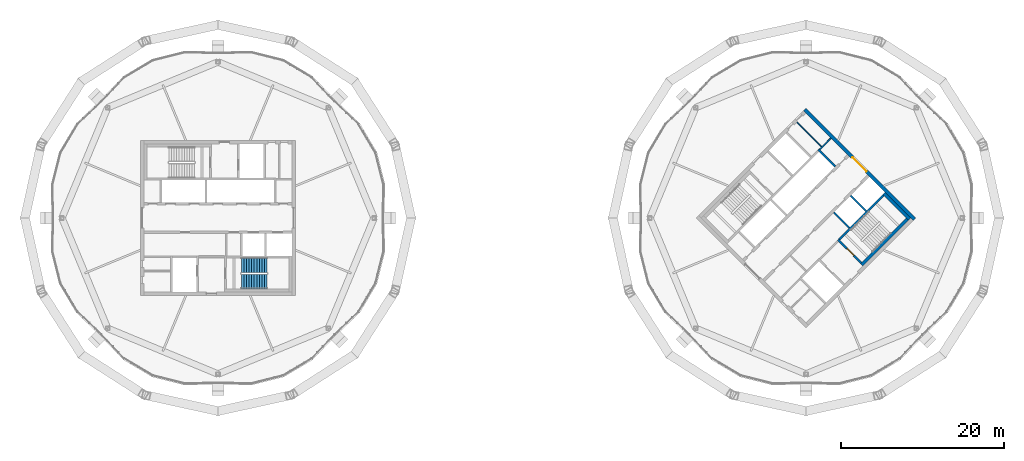
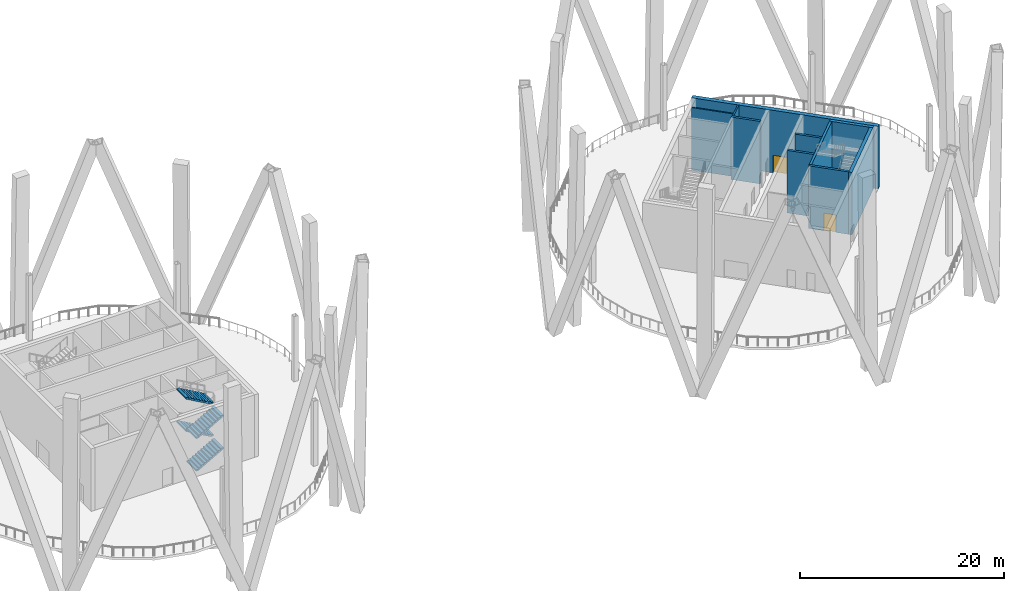
# One storey, part 7 of 13: 10 walls, 4 stair flights, 2 doors, 2 openings, 1 element without a shape of its own.
"""IFC4 building model written with IfcOpenShell, lengths in metres."""

from ifc_helpers import new_model, si_unit, direction, frame, frame_2d, origin, place, context, subcontext, project, spatial, polyline, rectangle, outline, extrude, material, layer, layer_set, type_object, element, fill, aggregate, save


model = new_model("IFC4")

# Units and contexts
model_context = context("Model", 3, precision=1e-05, world=origin(), true_north=direction((0.0, 1.0)))
body_context = subcontext(model_context, "Body", "Model", "MODEL_VIEW")
ifc_project = project(units=[si_unit("LENGTHUNIT", "METRE"), si_unit("AREAUNIT", "SQUARE_METRE"), si_unit("VOLUMEUNIT", "CUBIC_METRE"), si_unit("PLANEANGLEUNIT", "RADIAN"), si_unit("MASSUNIT", "GRAM", prefix="KILO")], contexts=[model_context])

# Site, building, storey
site_placement = place(None, origin())
site = spatial("IfcSite", under=ifc_project, at=site_placement, CompositionType="ELEMENT")
building_placement = place(site_placement, origin())
building = spatial("IfcBuilding", under=site, at=building_placement, Name="Ogive Gate Towers", CompositionType="ELEMENT")
storey_placement = place(building_placement, frame((0.0, 0.0, 221.10009765625)))
storey = spatial("IfcBuildingStorey", under=building, at=storey_placement, Name="L53", CompositionType="ELEMENT", Elevation=221.10009765625)

# Wall, opening, door
ifc_material_1 = material(Name="Concrete C60/75", Category="concrete")
ifc_layer_1 = layer(ifc_material_1, 0.449951171875)
ifc_layer_set_1 = layer_set([ifc_layer_1], Name="Core wall 450 mm")
wall_type_1 = type_object("IfcWallType", Name="Core wall 450 mm", PredefinedType="SHEAR", material=ifc_layer_set_1)
wall_1_placement = place(storey_placement, frame((49.27587890625, -0.1591796875, 0.0), z_axis=(0.0, 0.0, 1.0), x_axis=(-0.707106781187, 0.707106781187, 0.0)))
wall_1 = element("IfcWall", 1, at=wall_1_placement, inside=storey, type_object=wall_type_1, Name="T2 L53 Core wall 450 mm", PredefinedType="SHEAR", context=body_context, shape_type="SweptSolid", body=[
    extrude(rectangle(XDim=19.0, YDim=0.449951171875, at=frame_2d((9.5, 0.0))), origin(), (0.0, 0.0, 1.0), 7.5),
])
opening_1_placement = place(wall_1_placement, frame((8.300048828125, 0.0, 0.0)))
opening_1 = element("IfcOpeningElement", 2, at=opening_1_placement, cuts=wall_1, Name="Opening KD-T2-L53-02", PredefinedType="OPENING", context=body_context, shape_type="SweptSolid", body=[
    extrude(rectangle(XDim=2.39990234375, YDim=2.10009765625, at=frame_2d((1.199951171875, 1.050048828125))), frame((0.0, 0.23486328125, 0.0), z_axis=(0.0, -1.0, 0.0), x_axis=(1.0, 0.0, 0.0)), (0.0, 0.0, 1.0), 0.469970703125),
])
ifc_material_2 = material(Name="Steel fire door", Category="steel")
door_type_1 = type_object("IfcDoorType", Name="Core double door FD60S 2400 x 2100", OperationType="DOUBLE_DOOR_SINGLE_SWING", PredefinedType="DOOR", material=ifc_material_2)
door_1_placement = place(opening_1_placement, origin())
door_1 = element("IfcDoor", 3, at=door_1_placement, inside=storey, type_object=door_type_1, Name="T2 L53 Core door double", OperationType="DOUBLE_DOOR_SINGLE_SWING", OverallHeight=2.10009765625, OverallWidth=2.39990234375, PredefinedType="DOOR", context=body_context, shape_type="SweptSolid", body=[
    extrude(rectangle(XDim=2.39990234375, YDim=2.10009765625, at=frame_2d((1.199951171875, 1.050048828125))), frame((0.0, 0.02490234375, 0.0), z_axis=(0.0, -1.0, 0.0), x_axis=(1.0, 0.0, 0.0)), (0.0, 0.0, 1.0), 0.050048828125),
])
fill(opening_1, door_1)

# Walls
ifc_material_3 = material(Name="Gypsum board partition")
ifc_layer_2 = layer(ifc_material_3, 0.14990234375)
ifc_layer_set_2 = layer_set([ifc_layer_2], Name="Room partition 150 mm")
wall_type_2 = type_object("IfcWallType", Name="Room partition 150 mm", PredefinedType="PARTITIONING", material=ifc_layer_set_2)
wall_2_placement = place(storey_placement, frame((37.679443359375, 8.39697265625, 0.0), z_axis=(0.0, 0.0, 1.0), x_axis=(0.707106781187, 0.707106781187, 0.0)))
element("IfcWall", 4, at=wall_2_placement, inside=storey, type_object=wall_type_2, Name="T2 L53 Room partition 150 mm", PredefinedType="PARTITIONING", context=body_context, shape_type="SweptSolid", body=[
    extrude(rectangle(XDim=1.9248046875, YDim=0.14990234375, at=frame_2d((0.96240234375, 0.0))), origin(), (0.0, 0.0, 1.0), 7.5),
])
wall_3_placement = place(storey_placement, frame((37.8916015625, 8.715087890625, 0.0), z_axis=(0.0, 0.0, 1.0), x_axis=(-0.707106781187, 0.707106781187, 0.0)))
element("IfcWall", 5, at=wall_3_placement, inside=storey, type_object=wall_type_2, Name="T2 L53 Room partition 150 mm", PredefinedType="PARTITIONING", context=body_context, shape_type="SweptSolid", body=[
    extrude(rectangle(XDim=4.22509765625, YDim=0.14990234375, at=frame_2d((2.112548828125, 0.0))), origin(), (0.0, 0.0, 1.0), 7.5),
])
ifc_layer_3 = layer(ifc_material_1, 0.25)
ifc_layer_set_3 = layer_set([ifc_layer_3], Name="Shaft wall 250 mm")
wall_type_3 = type_object("IfcWallType", Name="Shaft wall 250 mm", PredefinedType="SHEAR", material=ifc_layer_set_3)
wall_4_placement = place(storey_placement, frame((40.08349609375, -2.634033203125, 0.0), z_axis=(0.0, 0.0, 1.0), x_axis=(0.707090876314, 0.707122685701, 0.0)))
element("IfcWall", 6, at=wall_4_placement, inside=storey, type_object=wall_type_3, Name="T2 L53 Shaft wall 250 mm", PredefinedType="SHEAR", context=body_context, shape_type="SweptSolid", body=[
    extrude(rectangle(XDim=7.675048828125, YDim=0.25, at=frame_2d((3.83740234375, 0.0))), origin(), (0.0, 0.0, 1.0), 7.5),
])

# Wall, opening, door
wall_5_placement = place(storey_placement, frame((42.7880859375, -5.515380859375, 0.0), z_axis=(0.0, 0.0, 1.0), x_axis=(-0.707106781187, 0.707106781187, 0.0)))
wall_5 = element("IfcWall", 7, at=wall_5_placement, inside=storey, type_object=wall_type_3, Name="T2 L53 Shaft wall 250 mm", PredefinedType="SHEAR", context=body_context, shape_type="SweptSolid", body=[
    extrude(rectangle(XDim=4.050048828125, YDim=0.25, at=frame_2d((2.02490234375, 0.0))), origin(), (0.0, 0.0, 1.0), 7.5),
])
opening_2_placement = place(wall_5_placement, frame((1.300048828125, 0.0, 0.0)))
opening_2 = element("IfcOpeningElement", 8, at=opening_2_placement, cuts=wall_5, Name="Opening KD-T2-L53-17", PredefinedType="OPENING", context=body_context, shape_type="SweptSolid", body=[
    extrude(rectangle(XDim=1.199951171875, YDim=2.10009765625, at=frame_2d((0.60009765625, 1.050048828125))), frame((0.0, 0.135009765625, 0.0), z_axis=(0.0, -1.0, 0.0), x_axis=(1.0, 0.0, 0.0)), (0.0, 0.0, 1.0), 0.27001953125),
])
door_type_2 = type_object("IfcDoorType", Name="Core door FD60S 1200 x 2100", OperationType="NOTDEFINED", PredefinedType="DOOR", material=ifc_material_2)
door_2_placement = place(opening_2_placement, origin())
door_2 = element("IfcDoor", 9, at=door_2_placement, inside=storey, type_object=door_type_2, Name="T2 L53 Stair door", OperationType="SINGLE_SWING_RIGHT", OverallHeight=2.10009765625, OverallWidth=1.199951171875, PredefinedType="DOOR", context=body_context, shape_type="SweptSolid", body=[
    extrude(rectangle(XDim=1.199951171875, YDim=2.10009765625, at=frame_2d((0.60009765625, 1.050048828125))), frame((0.0, 0.02490234375, 0.0), z_axis=(0.0, -1.0, 0.0), x_axis=(1.0, 0.0, 0.0)), (0.0, 0.0, 1.0), 0.050048828125),
])
fill(opening_2, door_2)

# Walls
for number, where, z_axis, x_axis, name in (
    (10, (41.321044921875, -1.2197265625, 0.0), (0.0, 0.0, 1.0), (-0.707106781187, 0.707106781187, 0.0), "T2 L53 Shaft wall 250 mm"),
    (11, (43.37158203125, 0.830810546875, 0.0), (0.0, 0.0, 1.0), (-0.707106781187, 0.707106781187, 0.0), "T2 L53 Shaft wall 250 mm"),
):
    element("IfcWall", number, at=place(storey_placement, frame(where, z_axis=z_axis, x_axis=x_axis)), inside=storey, type_object=wall_type_3, Name=name, PredefinedType="SHEAR", context=body_context, shape_type="SweptSolid", body=[
        extrude(rectangle(XDim=2.699951171875, YDim=0.25, at=frame_2d((1.35009765625, 0.0))), origin(), (0.0, 0.0, 1.0), 7.5),
    ])
wall_6_placement = place(storey_placement, frame((39.588623046875, 6.310791015625, 0.0), z_axis=(0.0, 0.0, 1.0), x_axis=(-0.707065402085, 0.707148157867, 0.0)))
element("IfcWall", 12, at=wall_6_placement, inside=storey, type_object=wall_type_3, Name="T2 L53 Shaft wall 250 mm", PredefinedType="SHEAR", context=body_context, shape_type="SweptSolid", body=[
    extrude(rectangle(XDim=2.9501953125, YDim=0.25, at=frame_2d((1.47509765625, 0.0))), origin(), (0.0, 0.0, 1.0), 7.5),
])
ifc_layer_4 = layer(ifc_material_1, 0.35009765625)
ifc_layer_set_4 = layer_set([ifc_layer_4], Name="Stair wall 350 mm")
wall_type_4 = type_object("IfcWallType", Name="Stair wall 350 mm", PredefinedType="SHEAR", material=ifc_layer_set_4)
wall_7_placement = place(storey_placement, frame((42.823486328125, -5.7275390625, 0.0), z_axis=(0.0, 0.0, 1.0), x_axis=(0.707122184046, 0.707091377991, 0.0)))
element("IfcWall", 13, at=wall_7_placement, inside=storey, type_object=wall_type_4, Name="T2 L53 Stair wall 350 mm", PredefinedType="SHEAR", context=body_context, shape_type="SweptSolid", body=[
    extrude(rectangle(XDim=7.925048828125, YDim=0.35009765625, at=frame_2d((3.96240234375, 0.0))), origin(), (0.0, 0.0, 1.0), 7.5),
])
wall_8_placement = place(storey_placement, frame((48.6748046875, -0.123779296875, 0.0), z_axis=(0.0, 0.0, 1.0), x_axis=(-0.707106781187, 0.707106781187, 0.0)))
element("IfcWall", 14, at=wall_8_placement, inside=storey, type_object=wall_type_4, Name="T2 L53 Stair wall 350 mm", PredefinedType="SHEAR", context=body_context, shape_type="SweptSolid", body=[
    extrude(rectangle(XDim=4.425048828125, YDim=0.35009765625, at=frame_2d((2.21240234375, 0.0))), origin(), (0.0, 0.0, 1.0), 7.5),
])

# Stair, stair flights
ifc_material_4 = material(Name="Concrete C40/50", Category="concrete")
stair_type = type_object("IfcStairType", Name="Escape stair 1840 wide", PredefinedType="HALF_TURN_STAIR", material=ifc_material_4)
stair_placement = place(storey_placement, origin())
stair = element("IfcStair", 15, at=stair_placement, inside=storey, type_object=stair_type, Name="L53 Escape stair 2", PredefinedType="HALF_TURN_STAIR")
stair_flight_type = type_object("IfcStairFlightType", Name="Stair flight 1840 wide", PredefinedType="STRAIGHT", material=ifc_material_4)
stair_flight_1_placement = place(storey_placement, frame((-33.135009765625, -7.780029296875, 0.0), z_axis=(0.0, 0.0, 1.0), x_axis=(1.0, 0.0, 0.0)))
stair_flight_1 = element("IfcStairFlight", 16, at=stair_flight_1_placement, type_object=stair_flight_type, Name="ST2 flight 1", NumberOfRisers=11, NumberOfTreads=10, PredefinedType="STRAIGHT", RiserHeight=0.177272727, TreadLength=0.313636364, context=body_context, shape_type="SweptSolid", body=[
    extrude(outline(polyline([(0.0, 0.0), (0.0, 0.17724609375), (0.313720703125, 0.17724609375), (0.313720703125, 0.3544921875), (0.627197265625, 0.3544921875), (0.627197265625, 0.53173828125), (0.94091796875, 0.53173828125), (0.94091796875, 0.708984375), (1.254638671875, 0.708984375), (1.254638671875, 0.886474609375), (1.568115234375, 0.886474609375), (1.568115234375, 1.063720703125), (1.8818359375, 1.063720703125), (1.8818359375, 1.240966796875), (2.195556640625, 1.240966796875), (2.195556640625, 1.418212890625), (2.509033203125, 1.418212890625), (2.509033203125, 1.595458984375), (2.82275390625, 1.595458984375), (2.82275390625, 1.772705078125), (3.136474609375, 1.772705078125), (3.136474609375, 1.949951171875), (3.136474609375, 1.6005859375), (0.3046875, 0.0), (0.0, 0.0)])), frame((0.0, 0.919921875, 0.0), z_axis=(0.0, -1.0, 0.0), x_axis=(1.0, 0.0, 0.0)), (0.0, 0.0, 1.0), 1.840087890625),
])
stair_flight_2_placement = place(storey_placement, frame((-29.99853515625, -5.794921875, 1.949951171875), z_axis=(0.0, 0.0, 1.0), x_axis=(-1.0, 0.0, 0.0)))
stair_flight_2 = element("IfcStairFlight", 17, at=stair_flight_2_placement, type_object=stair_flight_type, Name="ST2 flight 2", NumberOfRisers=11, NumberOfTreads=10, PredefinedType="STRAIGHT", RiserHeight=0.177272727, TreadLength=0.313636364, context=body_context, shape_type="SweptSolid", body=[
    extrude(outline(polyline([(0.0, 0.0), (0.0, 0.17724609375), (0.313720703125, 0.17724609375), (0.313720703125, 0.3544921875), (0.627197265625, 0.3544921875), (0.627197265625, 0.53173828125), (0.94091796875, 0.53173828125), (0.94091796875, 0.708984375), (1.254638671875, 0.708984375), (1.254638671875, 0.886474609375), (1.568115234375, 0.886474609375), (1.568115234375, 1.063720703125), (1.8818359375, 1.063720703125), (1.8818359375, 1.240966796875), (2.195556640625, 1.240966796875), (2.195556640625, 1.418212890625), (2.509033203125, 1.418212890625), (2.509033203125, 1.595458984375), (2.82275390625, 1.595458984375), (2.82275390625, 1.772705078125), (3.136474609375, 1.772705078125), (3.136474609375, 1.949951171875), (3.136474609375, 1.6005859375), (0.3046875, 0.0), (0.0, 0.0)])), frame((0.0, 0.919921875, 0.0), z_axis=(0.0, -1.0, 0.0), x_axis=(1.0, 0.0, 0.0)), (0.0, 0.0, 1.0), 1.840087890625),
])
stair_flight_3_placement = place(storey_placement, frame((-33.135009765625, -7.780029296875, 3.89990234375), z_axis=(0.0, 0.0, 1.0), x_axis=(1.0, 0.0, 0.0)))
stair_flight_3 = element("IfcStairFlight", 18, at=stair_flight_3_placement, type_object=stair_flight_type, Name="ST2 flight 3", NumberOfRisers=11, NumberOfTreads=10, PredefinedType="STRAIGHT", RiserHeight=0.177272727, TreadLength=0.313636364, context=body_context, shape_type="SweptSolid", body=[
    extrude(outline(polyline([(0.0, 0.0), (0.0, 0.17724609375), (0.313720703125, 0.17724609375), (0.313720703125, 0.3544921875), (0.627197265625, 0.3544921875), (0.627197265625, 0.53173828125), (0.94091796875, 0.53173828125), (0.94091796875, 0.708984375), (1.254638671875, 0.708984375), (1.254638671875, 0.886474609375), (1.568115234375, 0.886474609375), (1.568115234375, 1.063720703125), (1.8818359375, 1.063720703125), (1.8818359375, 1.240966796875), (2.195556640625, 1.240966796875), (2.195556640625, 1.418212890625), (2.509033203125, 1.418212890625), (2.509033203125, 1.595458984375), (2.82275390625, 1.595458984375), (2.82275390625, 1.772705078125), (3.136474609375, 1.772705078125), (3.136474609375, 1.949951171875), (3.136474609375, 1.6005859375), (0.3046875, 0.0), (0.0, 0.0)])), frame((0.0, 0.919921875, 0.0), z_axis=(0.0, -1.0, 0.0), x_axis=(1.0, 0.0, 0.0)), (0.0, 0.0, 1.0), 1.840087890625),
])
stair_flight_4_placement = place(storey_placement, frame((-29.99853515625, -5.794921875, 5.849853515625), z_axis=(0.0, 0.0, 1.0), x_axis=(-1.0, 0.0, 0.0)))
stair_flight_4 = element("IfcStairFlight", 19, at=stair_flight_4_placement, type_object=stair_flight_type, Name="ST2 flight 4", NumberOfRisers=11, NumberOfTreads=10, PredefinedType="STRAIGHT", RiserHeight=0.177272727, TreadLength=0.313636364, context=body_context, shape_type="SweptSolid", body=[
    extrude(outline(polyline([(0.0, 0.0), (0.0, 0.17724609375), (0.313720703125, 0.17724609375), (0.313720703125, 0.3544921875), (0.627197265625, 0.3544921875), (0.627197265625, 0.53173828125), (0.94091796875, 0.53173828125), (0.94091796875, 0.708984375), (1.254638671875, 0.708984375), (1.254638671875, 0.886474609375), (1.568115234375, 0.886474609375), (1.568115234375, 1.063720703125), (1.8818359375, 1.063720703125), (1.8818359375, 1.240966796875), (2.195556640625, 1.240966796875), (2.195556640625, 1.418212890625), (2.509033203125, 1.418212890625), (2.509033203125, 1.595458984375), (2.82275390625, 1.595458984375), (2.82275390625, 1.772705078125), (3.136474609375, 1.772705078125), (3.136474609375, 1.949951171875), (3.136474609375, 1.6005859375), (0.3046875, 0.0), (0.0, 0.0)])), frame((0.0, 0.919921875, 0.0), z_axis=(0.0, -1.0, 0.0), x_axis=(1.0, 0.0, 0.0)), (0.0, 0.0, 1.0), 1.840087890625),
])
aggregate(stair, [stair_flight_1, stair_flight_2, stair_flight_3, stair_flight_4])

save(model, "model.ifc")
